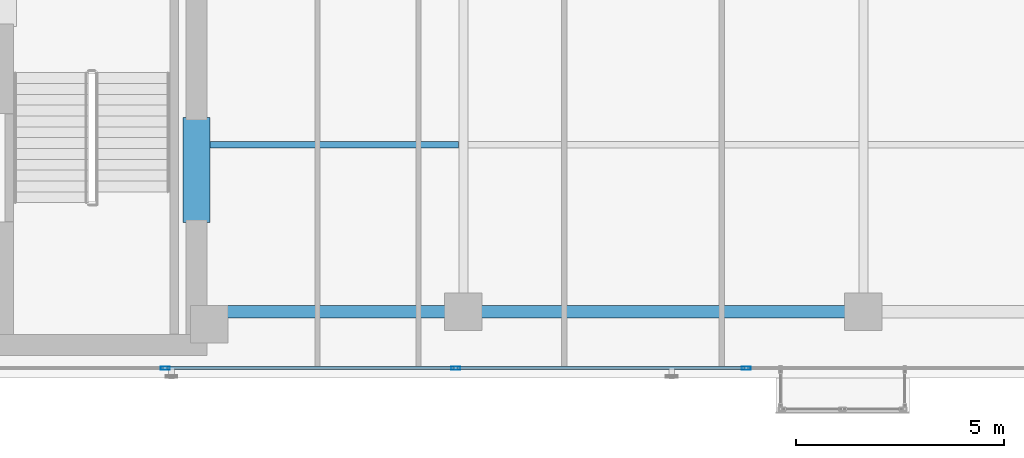
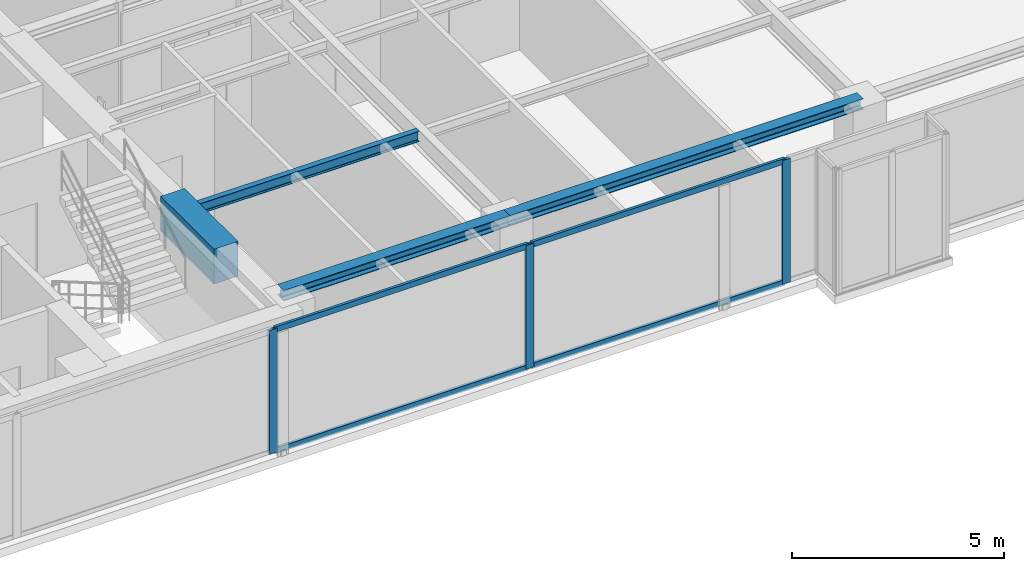
# One storey, part 4 of 24: 7 members, 4 beams, 1 element without a shape of its own.
"""IFC4 building model written with IfcOpenShell, lengths in metres."""

from ifc_helpers import new_model, si_unit, direction, frame, origin, origin_with_axes, origin_2d, place, context, subcontext, project, spatial, rectangle, hollow_rectangle, i_section, extrude, source, transform, mapped, material, layer, layer_set, material_profile, profile_set, type_object, element, aggregate, save


model = new_model("IFC4")

# Units and contexts
model_context = context("Model", 3, precision=1e-05, world=origin(), true_north=direction((0.0, 1.0)))
body_context = subcontext(model_context, "Body", "Model", "MODEL_VIEW")
ifc_project = project(units=[si_unit("LENGTHUNIT", "METRE"), si_unit("AREAUNIT", "SQUARE_METRE"), si_unit("VOLUMEUNIT", "CUBIC_METRE"), si_unit("PLANEANGLEUNIT", "RADIAN"), si_unit("MASSUNIT", "GRAM", prefix="KILO")], contexts=[model_context])

# Site, building, storey
site_placement = place(None, origin())
site = spatial("IfcSite", under=ifc_project, at=site_placement, CompositionType="ELEMENT")
building_placement = place(site_placement, origin())
building = spatial("IfcBuilding", under=site, at=building_placement, Name="Kolvaren Waterfront Exchange", CompositionType="ELEMENT")
storey_placement = place(building_placement, frame((0.0, 0.0, 300.800048828125)))
storey = spatial("IfcBuildingStorey", under=building, at=storey_placement, Name="L77", CompositionType="ELEMENT", Elevation=300.800048828125)

# Beams
ifc_material_1 = material(Name="Steel S355", Category="steel")
ifc_material_profile_1 = material_profile(ifc_material_1, i_section(OverallWidth=0.300048828125, OverallDepth=0.300048828125, WebThickness=0.010986328125, FlangeThickness=0.01904296875, FilletRadius=0.027099609375, at=origin_2d()), Name="HEB300")
ifc_profile_set_1 = profile_set([ifc_material_profile_1], Name="Steel S355")
beam_type_1 = type_object("IfcBeamType", Name="STR-BM-HEB300", PredefinedType="SPANDREL", material=ifc_profile_set_1)
beam_1_placement = place(storey_placement, frame((21.050048828125, 5.199951171875, 3.409912109375), z_axis=(1.0, 0.0, 0.0), x_axis=(0.0, 1.0, 0.0)))
element("IfcBeam", 1, at=beam_1_placement, inside=storey, type_object=beam_type_1, Name="L77 east-arm spandrel S1", PredefinedType="SPANDREL", context=body_context, shape_type="SweptSolid", body=[
    extrude(i_section(OverallWidth=0.300048828125, OverallDepth=0.300048828125, WebThickness=0.010986328125, FlangeThickness=0.01904296875, FilletRadius=0.027099609375, at=origin_2d()), origin(), (0.0, 0.0, 1.0), 6.14990234375),
])
beam_2_placement = place(storey_placement, frame((27.199951171875, 5.199951171875, 3.409912109375), z_axis=(1.0, 0.0, 0.0), x_axis=(0.0, 1.0, 0.0)))
element("IfcBeam", 2, at=beam_2_placement, inside=storey, type_object=beam_type_1, Name="L77 east-arm spandrel S2", PredefinedType="SPANDREL", context=body_context, shape_type="SweptSolid", body=[
    extrude(i_section(OverallWidth=0.300048828125, OverallDepth=0.300048828125, WebThickness=0.010986328125, FlangeThickness=0.01904296875, FilletRadius=0.027099609375, at=origin_2d()), origin(), (0.0, 0.0, 1.0), 9.60009765625),
])
ifc_material_profile_2 = material_profile(ifc_material_1, i_section(OverallWidth=0.14990234375, OverallDepth=0.300048828125, WebThickness=0.007080078125, FlangeThickness=0.0107421875, FilletRadius=0.014892578125, at=origin_2d()), Name="IPE300")
ifc_profile_set_2 = profile_set([ifc_material_profile_2], Name="Steel S355")
beam_type_2 = type_object("IfcBeamType", Name="STR-BM-IPE300", PredefinedType="JOIST", material=ifc_profile_set_2)
beam_3_placement = place(storey_placement, frame((21.10009765625, 9.199951171875, 3.409912109375), z_axis=(1.0, 0.0, 0.0), x_axis=(0.0, 1.0, 0.0)))
element("IfcBeam", 3, at=beam_3_placement, inside=storey, type_object=beam_type_2, Name="L77 east-arm composite joist 1B", PredefinedType="JOIST", context=body_context, shape_type="SweptSolid", body=[
    extrude(i_section(OverallWidth=0.14990234375, OverallDepth=0.300048828125, WebThickness=0.007080078125, FlangeThickness=0.0107421875, FilletRadius=0.014892578125, at=origin_2d()), origin(), (0.0, 0.0, 1.0), 5.98779296875),
])
ifc_material_2 = material(Name="Concrete C60/75", Category="concrete")
ifc_material_profile_3 = material_profile(ifc_material_2, rectangle(XDim=0.64990234375, YDim=1.0, at=origin_2d()), Name="RC-CB-1000x650")
ifc_profile_set_3 = profile_set([ifc_material_profile_3], Name="Concrete C60/75")
beam_type_3 = type_object("IfcBeamType", Name="STR-CB-1000", PredefinedType="SPANDREL", material=ifc_profile_set_3)
beam_4_placement = place(storey_placement, frame((20.800048828125, 7.340087890625, 3.06005859375), z_axis=(0.0, 1.0, 0.0), x_axis=(-1.0, 0.0, 0.0)))
element("IfcBeam", 4, at=beam_4_placement, inside=storey, type_object=beam_type_3, Name="L77 core coupling beam 1", PredefinedType="SPANDREL", context=body_context, shape_type="SweptSolid", body=[
    extrude(rectangle(XDim=0.64990234375, YDim=1.0, at=origin_2d()), origin(), (0.0, 0.0, 1.0), 2.52001953125),
])

# Curtain wall, members
ifc_material_3 = material(Name="Anodised bronze aluminium 6063-T6", Category="aluminium")
ifc_layer = layer(ifc_material_3, 0.219970703125, Name="Anodised bronze aluminium 6063-T6")
ifc_layer_set = layer_set([ifc_layer], Name="Anodised bronze aluminium 6063-T6")
curtain_wall_type = type_object("IfcCurtainWallType", Name="ARC-CW-SYS1", PredefinedType="USERDEFINED", material=ifc_layer_set)
curtain_wall_placement = place(storey_placement, origin())
curtain_wall = element("IfcCurtainWall", 5, at=curtain_wall_placement, inside=storey, type_object=curtain_wall_type, Name="L77 stick curtain wall CW1 (CW-L77-S)", ObjectType="STICK CURTAIN WALL", PredefinedType="USERDEFINED")
ifc_material_4 = material(Name="Anodised aluminium 6063-T6", Category="aluminium")
ifc_material_profile_4 = material_profile(ifc_material_4, hollow_rectangle(XDim=0.080078125, YDim=0.219970703125, WallThickness=0.0048828125, at=origin_2d()), Name="ALU-MUL-220x80x5")
ifc_profile_set_4 = profile_set([ifc_material_profile_4], Name="Anodised aluminium 6063-T6")
member_type_1 = type_object("IfcMemberType", Name="ARC-CWM-220", PredefinedType="MULLION", material=ifc_profile_set_4)
shared_shape_1 = source(origin_with_axes(), body_context, "Body", "SweptSolid", [
    extrude(hollow_rectangle(XDim=0.080078125, YDim=0.219970703125, WallThickness=0.0048828125, at=origin_2d()), origin(), (0.0, 0.0, 1.0), 3.56005859375),
])
member_1_placement = place(storey_placement, frame((20.0439453125, 3.840087890625, 0.0), z_axis=(0.0, 0.0, 1.0), x_axis=(0.0, 1.0, 0.0)))
member_1 = element("IfcMember", 6, at=member_1_placement, type_object=member_type_1, Name="CW1 mullion 3", PredefinedType="MULLION", context=body_context, shape_type="MappedRepresentation", body=[
    mapped(shared_shape_1, transform((0.0, 0.0, 0.0), x_axis=(1.0, 0.0, 0.0), y_axis=(0.0, 1.0, 0.0), z_axis=(0.0, 0.0, 1.0), scale=1.0)),
])
member_2_placement = place(storey_placement, frame((27.015869140625, 3.840087890625, 0.0), z_axis=(0.0, 0.0, 1.0), x_axis=(0.0, 1.0, 0.0)))
member_2 = element("IfcMember", 7, at=member_2_placement, type_object=member_type_1, Name="CW1 mullion 4", PredefinedType="MULLION", context=body_context, shape_type="MappedRepresentation", body=[
    mapped(shared_shape_1, transform((0.0, 0.0, 0.0), x_axis=(1.0, 0.0, 0.0), y_axis=(0.0, 1.0, 0.0), z_axis=(0.0, 0.0, 1.0), scale=1.0)),
])
member_3_placement = place(storey_placement, frame((33.98779296875, 3.840087890625, 0.0), z_axis=(0.0, 0.0, 1.0), x_axis=(0.0, 1.0, 0.0)))
member_3 = element("IfcMember", 8, at=member_3_placement, type_object=member_type_1, Name="CW1 mullion 5", PredefinedType="MULLION", context=body_context, shape_type="MappedRepresentation", body=[
    mapped(shared_shape_1, transform((0.0, 0.0, 0.0), x_axis=(1.0, 0.0, 0.0), y_axis=(0.0, 1.0, 0.0), z_axis=(0.0, 0.0, 1.0), scale=1.0)),
])
ifc_material_profile_5 = material_profile(ifc_material_4, hollow_rectangle(XDim=0.074951171875, YDim=0.159912109375, WallThickness=0.00439453125, at=origin_2d()), Name="ALU-TRN-160x75x4.5")
ifc_profile_set_5 = profile_set([ifc_material_profile_5], Name="Anodised aluminium 6063-T6")
member_type_2 = type_object("IfcMemberType", Name="ARC-CWT-160", PredefinedType="USERDEFINED", material=ifc_profile_set_5)
shared_shape_2 = source(origin_with_axes(), body_context, "Body", "SweptSolid", [
    extrude(hollow_rectangle(XDim=0.074951171875, YDim=0.159912109375, WallThickness=0.00439453125, at=origin_2d()), origin(), (0.0, 0.0, 1.0), 6.891845703125),
])
member_4_placement = place(storey_placement, frame((20.083984375, 3.840087890625, 0.037353515625), z_axis=(1.0, 0.0, 0.0), x_axis=(0.0, 1.0, 0.0)))
member_4 = element("IfcMember", 9, at=member_4_placement, type_object=member_type_2, Name="CW1 transom 3.1", ObjectType="TRANSOM", PredefinedType="USERDEFINED", context=body_context, shape_type="MappedRepresentation", body=[
    mapped(shared_shape_2, transform((0.0, 0.0, 0.0), x_axis=(1.0, 0.0, 0.0), y_axis=(0.0, 1.0, 0.0), z_axis=(0.0, 0.0, 1.0), scale=1.0)),
])
member_5_placement = place(storey_placement, frame((20.083984375, 3.840087890625, 3.5224609375), z_axis=(1.0, 0.0, 0.0), x_axis=(0.0, 1.0, 0.0)))
member_5 = element("IfcMember", 10, at=member_5_placement, type_object=member_type_2, Name="CW1 transom 3.2", ObjectType="TRANSOM", PredefinedType="USERDEFINED", context=body_context, shape_type="MappedRepresentation", body=[
    mapped(shared_shape_2, transform((0.0, 0.0, 0.0), x_axis=(1.0, 0.0, 0.0), y_axis=(0.0, 1.0, 0.0), z_axis=(0.0, 0.0, 1.0), scale=1.0)),
])
member_6_placement = place(storey_placement, frame((27.055908203125, 3.840087890625, 0.037353515625), z_axis=(1.0, 0.0, 0.0), x_axis=(0.0, 1.0, 0.0)))
member_6 = element("IfcMember", 11, at=member_6_placement, type_object=member_type_2, Name="CW1 transom 4.1", ObjectType="TRANSOM", PredefinedType="USERDEFINED", context=body_context, shape_type="MappedRepresentation", body=[
    mapped(shared_shape_2, transform((0.0, 0.0, 0.0), x_axis=(1.0, 0.0, 0.0), y_axis=(0.0, 1.0, 0.0), z_axis=(0.0, 0.0, 1.0), scale=1.0)),
])
member_7_placement = place(storey_placement, frame((27.055908203125, 3.840087890625, 3.5224609375), z_axis=(1.0, 0.0, 0.0), x_axis=(0.0, 1.0, 0.0)))
member_7 = element("IfcMember", 12, at=member_7_placement, type_object=member_type_2, Name="CW1 transom 4.2", ObjectType="TRANSOM", PredefinedType="USERDEFINED", context=body_context, shape_type="MappedRepresentation", body=[
    mapped(shared_shape_2, transform((0.0, 0.0, 0.0), x_axis=(1.0, 0.0, 0.0), y_axis=(0.0, 1.0, 0.0), z_axis=(0.0, 0.0, 1.0), scale=1.0)),
])
aggregate(curtain_wall, [member_1, member_2, member_3, member_4, member_5, member_6, member_7])

save(model, "model.ifc")
